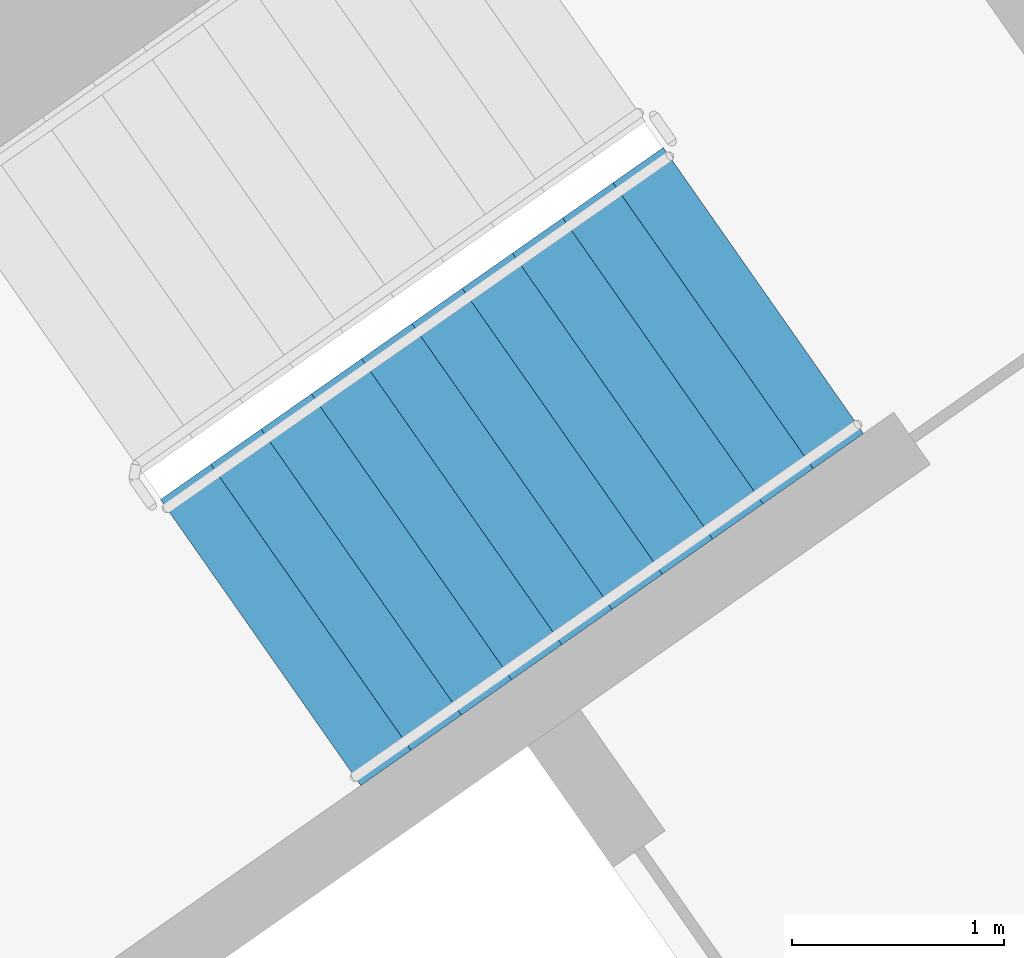
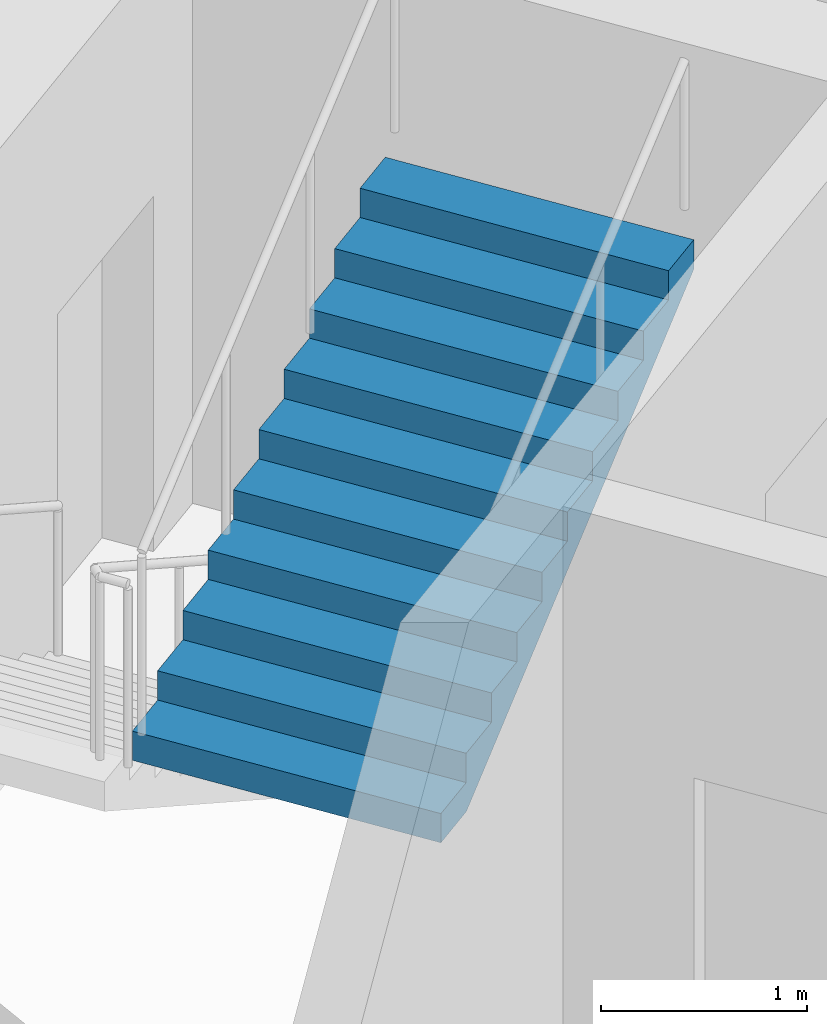
# One storey, part 14 of 27: 1 stair flight, 1 element without a shape of its own.
"""IFC4 building model written with IfcOpenShell, lengths in metres."""

from ifc_helpers import new_model, si_unit, direction, frame, origin, place, context, subcontext, project, spatial, faceted_brep, material, type_object, element, aggregate, save


model = new_model("IFC4")

# Units and contexts
model_context = context("Model", 3, precision=1e-05, world=origin(), true_north=direction((0.0, 1.0)))
body_context = subcontext(model_context, "Body", "Model", "MODEL_VIEW")
ifc_project = project(units=[si_unit("LENGTHUNIT", "METRE"), si_unit("AREAUNIT", "SQUARE_METRE"), si_unit("VOLUMEUNIT", "CUBIC_METRE"), si_unit("PLANEANGLEUNIT", "RADIAN"), si_unit("MASSUNIT", "GRAM", prefix="KILO")], contexts=[model_context])

# Site, building, storey
site_placement = place(None, origin())
site = spatial("IfcSite", under=ifc_project, at=site_placement, CompositionType="ELEMENT")
building_placement = place(site_placement, origin())
building = spatial("IfcBuilding", under=site, at=building_placement, Name="Qamariyya Broadcast Tower", CompositionType="ELEMENT")
storey_placement = place(building_placement, frame((0.0, 0.0, 153.10009765625)))
storey = spatial("IfcBuildingStorey", under=building, at=storey_placement, Name="L35", CompositionType="ELEMENT", Elevation=153.10009765625)

# Stair, stair flight
ifc_material = material(Name="Concrete C50/60", Category="concrete")
stair_type = type_object("IfcStairType", Name="Exit stair 22 risers of 173 mm", PredefinedType="HALF_TURN_STAIR", material=ifc_material)
stair_placement = place(storey_placement, origin())
stair = element("IfcStair", 1, at=stair_placement, inside=storey, type_object=stair_type, Name="L35 Stair E2", PredefinedType="HALF_TURN_STAIR")
stair_flight_type = type_object("IfcStairFlightType", Name="Exit stair flight 11 risers of 173 mm", PredefinedType="STRAIGHT", material=ifc_material)
stair_flight_placement = place(storey_placement, frame((39.215576171875, -50.822998046875, 1.89990234375), z_axis=(0.0, 0.0, 1.0), x_axis=(0.819152044289, 0.573576436351, 0.0)))
stair_flight = element("IfcStairFlight", 2, at=stair_flight_placement, type_object=stair_flight_type, Name="ST-E2 flight 2", NumberOfRisers=11, NumberOfTreads=10, PredefinedType="STRAIGHT", RiserHeight=0.172727273, TreadLength=0.29, context=body_context, shape_type="Brep", body=[
    faceted_brep([(0.0, 0.824951171875, 0.0), (0.0, 0.824951171875, 0.172607421875), (0.2900390625, 0.824951171875, 0.172607421875), (0.2900390625, 0.824951171875, 0.345458984375), (0.580078125, 0.824951171875, 0.345458984375), (0.580078125, 0.824951171875, 0.51806640625), (0.8701171875, 0.824951171875, 0.51806640625), (0.8701171875, 0.824951171875, 0.69091796875), (1.159912109375, 0.824951171875, 0.69091796875), (1.159912109375, 0.824951171875, 0.863525390625), (1.449951171875, 0.824951171875, 0.863525390625), (1.449951171875, 0.824951171875, 1.036376953125), (1.739990234375, 0.824951171875, 1.036376953125), (1.739990234375, 0.824951171875, 1.208984375), (2.030029296875, 0.824951171875, 1.208984375), (2.030029296875, 0.824951171875, 1.3818359375), (2.320068359375, 0.824951171875, 1.3818359375), (2.320068359375, 0.824951171875, 1.554443359375), (2.610107421875, 0.824951171875, 1.554443359375), (2.610107421875, 0.824951171875, 1.727294921875), (2.89990234375, 0.824951171875, 1.727294921875), (2.89990234375, 0.824951171875, 1.552734375), (0.29296875, 0.824951171875, 0.0), (0.29296875, -0.824951171875, 0.0), (2.89990234375, -0.824951171875, 1.552734375), (2.89990234375, -0.824951171875, 1.727294921875), (2.610107421875, -0.824951171875, 1.727294921875), (2.610107421875, -0.824951171875, 1.554443359375), (2.320068359375, -0.824951171875, 1.554443359375), (2.320068359375, -0.824951171875, 1.3818359375), (2.030029296875, -0.824951171875, 1.3818359375), (2.030029296875, -0.824951171875, 1.208984375), (1.739990234375, -0.824951171875, 1.208984375), (1.739990234375, -0.824951171875, 1.036376953125), (1.449951171875, -0.824951171875, 1.036376953125), (1.449951171875, -0.824951171875, 0.863525390625), (1.159912109375, -0.824951171875, 0.863525390625), (1.159912109375, -0.824951171875, 0.69091796875), (0.8701171875, -0.824951171875, 0.69091796875), (0.8701171875, -0.824951171875, 0.51806640625), (0.580078125, -0.824951171875, 0.51806640625), (0.580078125, -0.824951171875, 0.345458984375), (0.2900390625, -0.824951171875, 0.345458984375), (0.2900390625, -0.824951171875, 0.172607421875), (0.0, -0.824951171875, 0.172607421875), (0.0, -0.824951171875, 0.0), (0.0, 0.10009765625, 0.0), (0.0, 0.086669921875, 0.0), (0.0, 0.0732421875, 0.0), (0.0, 0.06005859375, 0.0), (0.0, 0.046630859375, 0.0), (0.0, 0.033447265625, 0.0), (0.0, 0.02001953125, 0.0), (0.0, 0.006591796875, 0.0), (0.0, -0.006591796875, 0.0), (0.0, -0.02001953125, 0.0), (0.0, -0.033447265625, 0.0), (0.0, -0.046630859375, 0.0), (0.0, -0.06005859375, 0.0), (0.0, -0.0732421875, 0.0), (0.0, -0.086669921875, 0.0), (0.0, -0.10009765625, 0.0), (0.0, -0.10009765625, 0.172607421875), (0.0, -0.086669921875, 0.172607421875), (0.0, -0.0732421875, 0.172607421875), (0.0, -0.06005859375, 0.172607421875), (0.0, -0.046630859375, 0.172607421875), (0.0, -0.033447265625, 0.172607421875), (0.0, -0.02001953125, 0.172607421875), (0.0, -0.006591796875, 0.172607421875), (0.0, 0.006591796875, 0.172607421875), (0.0, 0.02001953125, 0.172607421875), (0.0, 0.033447265625, 0.172607421875), (0.0, 0.046630859375, 0.172607421875), (0.0, 0.06005859375, 0.172607421875), (0.0, 0.0732421875, 0.172607421875), (0.0, 0.086669921875, 0.172607421875), (0.0, 0.10009765625, 0.172607421875), (0.2900390625, -0.10009765625, 0.172607421875), (0.2900390625, -0.086669921875, 0.172607421875), (0.2900390625, -0.0732421875, 0.172607421875), (0.2900390625, -0.06005859375, 0.172607421875), (0.2900390625, -0.046630859375, 0.172607421875), (0.2900390625, -0.033447265625, 0.172607421875), (0.2900390625, -0.02001953125, 0.172607421875), (0.2900390625, -0.006591796875, 0.172607421875), (0.2900390625, 0.006591796875, 0.172607421875), (0.2900390625, 0.02001953125, 0.172607421875), (0.2900390625, 0.033447265625, 0.172607421875), (0.2900390625, 0.046630859375, 0.172607421875), (0.2900390625, 0.06005859375, 0.172607421875), (0.2900390625, 0.0732421875, 0.172607421875), (0.2900390625, 0.086669921875, 0.172607421875), (0.2900390625, 0.10009765625, 0.172607421875), (0.2900390625, -0.10009765625, 0.345458984375), (0.2900390625, -0.086669921875, 0.345458984375), (0.2900390625, -0.0732421875, 0.345458984375), (0.2900390625, -0.06005859375, 0.345458984375), (0.2900390625, -0.046630859375, 0.345458984375), (0.2900390625, -0.033447265625, 0.345458984375), (0.2900390625, -0.02001953125, 0.345458984375), (0.2900390625, -0.006591796875, 0.345458984375), (0.2900390625, 0.006591796875, 0.345458984375), (0.2900390625, 0.02001953125, 0.345458984375), (0.2900390625, 0.033447265625, 0.345458984375), (0.2900390625, 0.046630859375, 0.345458984375), (0.2900390625, 0.06005859375, 0.345458984375), (0.2900390625, 0.0732421875, 0.345458984375), (0.2900390625, 0.086669921875, 0.345458984375), (0.2900390625, 0.10009765625, 0.345458984375), (0.580078125, -0.10009765625, 0.345458984375), (0.580078125, -0.086669921875, 0.345458984375), (0.580078125, -0.0732421875, 0.345458984375), (0.580078125, -0.06005859375, 0.345458984375), (0.580078125, -0.046630859375, 0.345458984375), (0.580078125, -0.033447265625, 0.345458984375), (0.580078125, -0.02001953125, 0.345458984375), (0.580078125, -0.006591796875, 0.345458984375), (0.580078125, 0.006591796875, 0.345458984375), (0.580078125, 0.02001953125, 0.345458984375), (0.580078125, 0.033447265625, 0.345458984375), (0.580078125, 0.046630859375, 0.345458984375), (0.580078125, 0.06005859375, 0.345458984375), (0.580078125, 0.0732421875, 0.345458984375), (0.580078125, 0.086669921875, 0.345458984375), (0.580078125, 0.10009765625, 0.345458984375), (0.580078125, -0.10009765625, 0.51806640625), (0.580078125, -0.086669921875, 0.51806640625), (0.580078125, -0.0732421875, 0.51806640625), (0.580078125, -0.06005859375, 0.51806640625), (0.580078125, -0.046630859375, 0.51806640625), (0.580078125, -0.033447265625, 0.51806640625), (0.580078125, -0.02001953125, 0.51806640625), (0.580078125, -0.006591796875, 0.51806640625), (0.580078125, 0.006591796875, 0.51806640625), (0.580078125, 0.02001953125, 0.51806640625), (0.580078125, 0.033447265625, 0.51806640625), (0.580078125, 0.046630859375, 0.51806640625), (0.580078125, 0.06005859375, 0.51806640625), (0.580078125, 0.0732421875, 0.51806640625), (0.580078125, 0.086669921875, 0.51806640625), (0.580078125, 0.10009765625, 0.51806640625), (0.8701171875, -0.10009765625, 0.51806640625), (0.8701171875, -0.086669921875, 0.51806640625), (0.8701171875, -0.0732421875, 0.51806640625), (0.8701171875, -0.06005859375, 0.51806640625), (0.8701171875, -0.046630859375, 0.51806640625), (0.8701171875, -0.033447265625, 0.51806640625), (0.8701171875, -0.02001953125, 0.51806640625), (0.8701171875, -0.006591796875, 0.51806640625), (0.8701171875, 0.006591796875, 0.51806640625), (0.8701171875, 0.02001953125, 0.51806640625), (0.8701171875, 0.033447265625, 0.51806640625), (0.8701171875, 0.046630859375, 0.51806640625), (0.8701171875, 0.06005859375, 0.51806640625), (0.8701171875, 0.0732421875, 0.51806640625), (0.8701171875, 0.086669921875, 0.51806640625), (0.8701171875, 0.10009765625, 0.51806640625), (0.8701171875, -0.10009765625, 0.69091796875), (0.8701171875, -0.086669921875, 0.69091796875), (0.8701171875, -0.0732421875, 0.69091796875), (0.8701171875, -0.06005859375, 0.69091796875), (0.8701171875, -0.046630859375, 0.69091796875), (0.8701171875, -0.033447265625, 0.69091796875), (0.8701171875, -0.02001953125, 0.69091796875), (0.8701171875, -0.006591796875, 0.69091796875), (0.8701171875, 0.006591796875, 0.69091796875), (0.8701171875, 0.02001953125, 0.69091796875), (0.8701171875, 0.033447265625, 0.69091796875), (0.8701171875, 0.046630859375, 0.69091796875), (0.8701171875, 0.06005859375, 0.69091796875), (0.8701171875, 0.0732421875, 0.69091796875), (0.8701171875, 0.086669921875, 0.69091796875), (0.8701171875, 0.10009765625, 0.69091796875), (1.159912109375, -0.10009765625, 0.69091796875), (1.159912109375, -0.086669921875, 0.69091796875), (1.159912109375, -0.0732421875, 0.69091796875), (1.159912109375, -0.06005859375, 0.69091796875), (1.159912109375, -0.046630859375, 0.69091796875), (1.159912109375, -0.033447265625, 0.69091796875), (1.159912109375, -0.02001953125, 0.69091796875), (1.159912109375, -0.006591796875, 0.69091796875), (1.159912109375, 0.006591796875, 0.69091796875), (1.159912109375, 0.02001953125, 0.69091796875), (1.159912109375, 0.033447265625, 0.69091796875), (1.159912109375, 0.046630859375, 0.69091796875), (1.159912109375, 0.06005859375, 0.69091796875), (1.159912109375, 0.0732421875, 0.69091796875), (1.159912109375, 0.086669921875, 0.69091796875), (1.159912109375, 0.10009765625, 0.69091796875), (1.159912109375, -0.10009765625, 0.863525390625), (1.159912109375, -0.086669921875, 0.863525390625), (1.159912109375, -0.0732421875, 0.863525390625), (1.159912109375, -0.06005859375, 0.863525390625), (1.159912109375, -0.046630859375, 0.863525390625), (1.159912109375, -0.033447265625, 0.863525390625), (1.159912109375, -0.02001953125, 0.863525390625), (1.159912109375, -0.006591796875, 0.863525390625), (1.159912109375, 0.006591796875, 0.863525390625), (1.159912109375, 0.02001953125, 0.863525390625), (1.159912109375, 0.033447265625, 0.863525390625), (1.159912109375, 0.046630859375, 0.863525390625), (1.159912109375, 0.06005859375, 0.863525390625), (1.159912109375, 0.0732421875, 0.863525390625), (1.159912109375, 0.086669921875, 0.863525390625), (1.159912109375, 0.10009765625, 0.863525390625), (1.449951171875, -0.10009765625, 0.863525390625), (1.449951171875, -0.086669921875, 0.863525390625), (1.449951171875, -0.0732421875, 0.863525390625), (1.449951171875, -0.06005859375, 0.863525390625), (1.449951171875, -0.046630859375, 0.863525390625), (1.449951171875, -0.033447265625, 0.863525390625), (1.449951171875, -0.02001953125, 0.863525390625), (1.449951171875, -0.006591796875, 0.863525390625), (1.449951171875, 0.006591796875, 0.863525390625), (1.449951171875, 0.02001953125, 0.863525390625), (1.449951171875, 0.033447265625, 0.863525390625), (1.449951171875, 0.046630859375, 0.863525390625), (1.449951171875, 0.06005859375, 0.863525390625), (1.449951171875, 0.0732421875, 0.863525390625), (1.449951171875, 0.086669921875, 0.863525390625), (1.449951171875, 0.10009765625, 0.863525390625), (1.449951171875, -0.10009765625, 1.036376953125), (1.449951171875, -0.086669921875, 1.036376953125), (1.449951171875, -0.0732421875, 1.036376953125), (1.449951171875, -0.06005859375, 1.036376953125), (1.449951171875, -0.046630859375, 1.036376953125), (1.449951171875, -0.033447265625, 1.036376953125), (1.449951171875, -0.02001953125, 1.036376953125), (1.449951171875, -0.006591796875, 1.036376953125), (1.449951171875, 0.006591796875, 1.036376953125), (1.449951171875, 0.02001953125, 1.036376953125), (1.449951171875, 0.033447265625, 1.036376953125), (1.449951171875, 0.046630859375, 1.036376953125), (1.449951171875, 0.06005859375, 1.036376953125), (1.449951171875, 0.0732421875, 1.036376953125), (1.449951171875, 0.086669921875, 1.036376953125), (1.449951171875, 0.10009765625, 1.036376953125), (1.739990234375, -0.10009765625, 1.036376953125), (1.739990234375, -0.086669921875, 1.036376953125), (1.739990234375, -0.0732421875, 1.036376953125), (1.739990234375, -0.06005859375, 1.036376953125), (1.739990234375, -0.046630859375, 1.036376953125), (1.739990234375, -0.033447265625, 1.036376953125), (1.739990234375, -0.02001953125, 1.036376953125), (1.739990234375, -0.006591796875, 1.036376953125), (1.739990234375, 0.006591796875, 1.036376953125), (1.739990234375, 0.02001953125, 1.036376953125), (1.739990234375, 0.033447265625, 1.036376953125), (1.739990234375, 0.046630859375, 1.036376953125), (1.739990234375, 0.06005859375, 1.036376953125), (1.739990234375, 0.0732421875, 1.036376953125), (1.739990234375, 0.086669921875, 1.036376953125), (1.739990234375, 0.10009765625, 1.036376953125), (1.739990234375, -0.10009765625, 1.208984375), (1.739990234375, -0.086669921875, 1.208984375), (1.739990234375, -0.0732421875, 1.208984375), (1.739990234375, -0.06005859375, 1.208984375), (1.739990234375, -0.046630859375, 1.208984375), (1.739990234375, -0.033447265625, 1.208984375), (1.739990234375, -0.02001953125, 1.208984375), (1.739990234375, -0.006591796875, 1.208984375), (1.739990234375, 0.006591796875, 1.208984375), (1.739990234375, 0.02001953125, 1.208984375), (1.739990234375, 0.033447265625, 1.208984375), (1.739990234375, 0.046630859375, 1.208984375), (1.739990234375, 0.06005859375, 1.208984375), (1.739990234375, 0.0732421875, 1.208984375), (1.739990234375, 0.086669921875, 1.208984375), (1.739990234375, 0.10009765625, 1.208984375), (2.030029296875, -0.10009765625, 1.208984375), (2.030029296875, -0.086669921875, 1.208984375), (2.030029296875, -0.0732421875, 1.208984375), (2.030029296875, -0.06005859375, 1.208984375), (2.030029296875, -0.046630859375, 1.208984375), (2.030029296875, -0.033447265625, 1.208984375), (2.030029296875, -0.02001953125, 1.208984375), (2.030029296875, -0.006591796875, 1.208984375), (2.030029296875, 0.006591796875, 1.208984375), (2.030029296875, 0.02001953125, 1.208984375), (2.030029296875, 0.033447265625, 1.208984375), (2.030029296875, 0.046630859375, 1.208984375), (2.030029296875, 0.06005859375, 1.208984375), (2.030029296875, 0.0732421875, 1.208984375), (2.030029296875, 0.086669921875, 1.208984375), (2.030029296875, 0.10009765625, 1.208984375), (2.030029296875, -0.10009765625, 1.3818359375), (2.030029296875, -0.086669921875, 1.3818359375), (2.030029296875, -0.0732421875, 1.3818359375), (2.030029296875, -0.06005859375, 1.3818359375), (2.030029296875, -0.046630859375, 1.3818359375), (2.030029296875, -0.033447265625, 1.3818359375), (2.030029296875, -0.02001953125, 1.3818359375), (2.030029296875, -0.006591796875, 1.3818359375), (2.030029296875, 0.006591796875, 1.3818359375), (2.030029296875, 0.02001953125, 1.3818359375), (2.030029296875, 0.033447265625, 1.3818359375), (2.030029296875, 0.046630859375, 1.3818359375), (2.030029296875, 0.06005859375, 1.3818359375), (2.030029296875, 0.0732421875, 1.3818359375), (2.030029296875, 0.086669921875, 1.3818359375), (2.030029296875, 0.10009765625, 1.3818359375), (2.320068359375, -0.10009765625, 1.3818359375), (2.320068359375, -0.086669921875, 1.3818359375), (2.320068359375, -0.0732421875, 1.3818359375), (2.320068359375, -0.06005859375, 1.3818359375), (2.320068359375, -0.046630859375, 1.3818359375), (2.320068359375, -0.033447265625, 1.3818359375), (2.320068359375, -0.02001953125, 1.3818359375), (2.320068359375, -0.006591796875, 1.3818359375), (2.320068359375, 0.006591796875, 1.3818359375), (2.320068359375, 0.02001953125, 1.3818359375), (2.320068359375, 0.033447265625, 1.3818359375), (2.320068359375, 0.046630859375, 1.3818359375), (2.320068359375, 0.06005859375, 1.3818359375), (2.320068359375, 0.0732421875, 1.3818359375), (2.320068359375, 0.086669921875, 1.3818359375), (2.320068359375, 0.10009765625, 1.3818359375), (2.320068359375, -0.10009765625, 1.554443359375), (2.320068359375, -0.086669921875, 1.554443359375), (2.320068359375, -0.0732421875, 1.554443359375), (2.320068359375, -0.06005859375, 1.554443359375), (2.320068359375, -0.046630859375, 1.554443359375), (2.320068359375, -0.033447265625, 1.554443359375), (2.320068359375, -0.02001953125, 1.554443359375), (2.320068359375, -0.006591796875, 1.554443359375), (2.320068359375, 0.006591796875, 1.554443359375), (2.320068359375, 0.02001953125, 1.554443359375), (2.320068359375, 0.033447265625, 1.554443359375), (2.320068359375, 0.046630859375, 1.554443359375), (2.320068359375, 0.06005859375, 1.554443359375), (2.320068359375, 0.0732421875, 1.554443359375), (2.320068359375, 0.086669921875, 1.554443359375), (2.320068359375, 0.10009765625, 1.554443359375), (2.610107421875, -0.10009765625, 1.554443359375), (2.610107421875, -0.086669921875, 1.554443359375), (2.610107421875, -0.0732421875, 1.554443359375), (2.610107421875, -0.06005859375, 1.554443359375), (2.610107421875, -0.046630859375, 1.554443359375), (2.610107421875, -0.033447265625, 1.554443359375), (2.610107421875, -0.02001953125, 1.554443359375), (2.610107421875, -0.006591796875, 1.554443359375), (2.610107421875, 0.006591796875, 1.554443359375), (2.610107421875, 0.02001953125, 1.554443359375), (2.610107421875, 0.033447265625, 1.554443359375), (2.610107421875, 0.046630859375, 1.554443359375), (2.610107421875, 0.06005859375, 1.554443359375), (2.610107421875, 0.0732421875, 1.554443359375), (2.610107421875, 0.086669921875, 1.554443359375), (2.610107421875, 0.10009765625, 1.554443359375), (2.610107421875, -0.10009765625, 1.727294921875), (2.610107421875, -0.086669921875, 1.727294921875), (2.610107421875, -0.0732421875, 1.727294921875), (2.610107421875, -0.06005859375, 1.727294921875), (2.610107421875, -0.046630859375, 1.727294921875), (2.610107421875, -0.033447265625, 1.727294921875), (2.610107421875, -0.02001953125, 1.727294921875), (2.610107421875, -0.006591796875, 1.727294921875), (2.610107421875, 0.006591796875, 1.727294921875), (2.610107421875, 0.02001953125, 1.727294921875), (2.610107421875, 0.033447265625, 1.727294921875), (2.610107421875, 0.046630859375, 1.727294921875), (2.610107421875, 0.06005859375, 1.727294921875), (2.610107421875, 0.0732421875, 1.727294921875), (2.610107421875, 0.086669921875, 1.727294921875), (2.610107421875, 0.10009765625, 1.727294921875), (2.89990234375, -0.10009765625, 1.727294921875), (2.89990234375, -0.086669921875, 1.727294921875), (2.89990234375, -0.0732421875, 1.727294921875), (2.89990234375, -0.06005859375, 1.727294921875), (2.89990234375, -0.046630859375, 1.727294921875), (2.89990234375, -0.033447265625, 1.727294921875), (2.89990234375, -0.02001953125, 1.727294921875), (2.89990234375, -0.006591796875, 1.727294921875), (2.89990234375, 0.006591796875, 1.727294921875), (2.89990234375, 0.02001953125, 1.727294921875), (2.89990234375, 0.033447265625, 1.727294921875), (2.89990234375, 0.046630859375, 1.727294921875), (2.89990234375, 0.06005859375, 1.727294921875), (2.89990234375, 0.0732421875, 1.727294921875), (2.89990234375, 0.086669921875, 1.727294921875), (2.89990234375, 0.10009765625, 1.727294921875), (2.89990234375, -0.10009765625, 1.552734375), (2.89990234375, -0.086669921875, 1.552734375), (2.89990234375, -0.0732421875, 1.552734375), (2.89990234375, -0.06005859375, 1.552734375), (2.89990234375, -0.046630859375, 1.552734375), (2.89990234375, -0.033447265625, 1.552734375), (2.89990234375, -0.02001953125, 1.552734375), (2.89990234375, -0.006591796875, 1.552734375), (2.89990234375, 0.006591796875, 1.552734375), (2.89990234375, 0.02001953125, 1.552734375), (2.89990234375, 0.033447265625, 1.552734375), (2.89990234375, 0.046630859375, 1.552734375), (2.89990234375, 0.06005859375, 1.552734375), (2.89990234375, 0.0732421875, 1.552734375), (2.89990234375, 0.086669921875, 1.552734375), (2.89990234375, 0.10009765625, 1.552734375), (0.29296875, -0.10009765625, 0.0), (0.29296875, -0.086669921875, 0.0), (0.29296875, -0.0732421875, 0.0), (0.29296875, -0.06005859375, 0.0), (0.29296875, -0.046630859375, 0.0), (0.29296875, -0.033447265625, 0.0), (0.29296875, -0.02001953125, 0.0), (0.29296875, -0.006591796875, 0.0), (0.29296875, 0.006591796875, 0.0), (0.29296875, 0.02001953125, 0.0), (0.29296875, 0.033447265625, 0.0), (0.29296875, 0.046630859375, 0.0), (0.29296875, 0.06005859375, 0.0), (0.29296875, 0.0732421875, 0.0), (0.29296875, 0.086669921875, 0.0), (0.29296875, 0.10009765625, 0.0)], [[[0, 1, 2, 3, 4, 5, 6, 7, 8, 9, 10, 11, 12, 13, 14, 15, 16, 17, 18, 19, 20, 21, 22]], [[23, 24, 25, 26, 27, 28, 29, 30, 31, 32, 33, 34, 35, 36, 37, 38, 39, 40, 41, 42, 43, 44, 45]], [[0, 46, 47, 48, 49, 50, 51, 52, 53, 54, 55, 56, 57, 58, 59, 60, 61, 45, 44, 62, 63, 64, 65, 66, 67, 68, 69, 70, 71, 72, 73, 74, 75, 76, 77, 1]], [[1, 77, 76, 75, 74, 73, 72, 71, 70, 69, 68, 67, 66, 65, 64, 63, 62, 44, 43, 78, 79, 80, 81, 82, 83, 84, 85, 86, 87, 88, 89, 90, 91, 92, 93, 2]], [[2, 93, 92, 91, 90, 89, 88, 87, 86, 85, 84, 83, 82, 81, 80, 79, 78, 43, 42, 94, 95, 96, 97, 98, 99, 100, 101, 102, 103, 104, 105, 106, 107, 108, 109, 3]], [[3, 109, 108, 107, 106, 105, 104, 103, 102, 101, 100, 99, 98, 97, 96, 95, 94, 42, 41, 110, 111, 112, 113, 114, 115, 116, 117, 118, 119, 120, 121, 122, 123, 124, 125, 4]], [[4, 125, 124, 123, 122, 121, 120, 119, 118, 117, 116, 115, 114, 113, 112, 111, 110, 41, 40, 126, 127, 128, 129, 130, 131, 132, 133, 134, 135, 136, 137, 138, 139, 140, 141, 5]], [[5, 141, 140, 139, 138, 137, 136, 135, 134, 133, 132, 131, 130, 129, 128, 127, 126, 40, 39, 142, 143, 144, 145, 146, 147, 148, 149, 150, 151, 152, 153, 154, 155, 156, 157, 6]], [[6, 157, 156, 155, 154, 153, 152, 151, 150, 149, 148, 147, 146, 145, 144, 143, 142, 39, 38, 158, 159, 160, 161, 162, 163, 164, 165, 166, 167, 168, 169, 170, 171, 172, 173, 7]], [[7, 173, 172, 171, 170, 169, 168, 167, 166, 165, 164, 163, 162, 161, 160, 159, 158, 38, 37, 174, 175, 176, 177, 178, 179, 180, 181, 182, 183, 184, 185, 186, 187, 188, 189, 8]], [[8, 189, 188, 187, 186, 185, 184, 183, 182, 181, 180, 179, 178, 177, 176, 175, 174, 37, 36, 190, 191, 192, 193, 194, 195, 196, 197, 198, 199, 200, 201, 202, 203, 204, 205, 9]], [[9, 205, 204, 203, 202, 201, 200, 199, 198, 197, 196, 195, 194, 193, 192, 191, 190, 36, 35, 206, 207, 208, 209, 210, 211, 212, 213, 214, 215, 216, 217, 218, 219, 220, 221, 10]], [[10, 221, 220, 219, 218, 217, 216, 215, 214, 213, 212, 211, 210, 209, 208, 207, 206, 35, 34, 222, 223, 224, 225, 226, 227, 228, 229, 230, 231, 232, 233, 234, 235, 236, 237, 11]], [[11, 237, 236, 235, 234, 233, 232, 231, 230, 229, 228, 227, 226, 225, 224, 223, 222, 34, 33, 238, 239, 240, 241, 242, 243, 244, 245, 246, 247, 248, 249, 250, 251, 252, 253, 12]], [[12, 253, 252, 251, 250, 249, 248, 247, 246, 245, 244, 243, 242, 241, 240, 239, 238, 33, 32, 254, 255, 256, 257, 258, 259, 260, 261, 262, 263, 264, 265, 266, 267, 268, 269, 13]], [[13, 269, 268, 267, 266, 265, 264, 263, 262, 261, 260, 259, 258, 257, 256, 255, 254, 32, 31, 270, 271, 272, 273, 274, 275, 276, 277, 278, 279, 280, 281, 282, 283, 284, 285, 14]], [[14, 285, 284, 283, 282, 281, 280, 279, 278, 277, 276, 275, 274, 273, 272, 271, 270, 31, 30, 286, 287, 288, 289, 290, 291, 292, 293, 294, 295, 296, 297, 298, 299, 300, 301, 15]], [[15, 301, 300, 299, 298, 297, 296, 295, 294, 293, 292, 291, 290, 289, 288, 287, 286, 30, 29, 302, 303, 304, 305, 306, 307, 308, 309, 310, 311, 312, 313, 314, 315, 316, 317, 16]], [[16, 317, 316, 315, 314, 313, 312, 311, 310, 309, 308, 307, 306, 305, 304, 303, 302, 29, 28, 318, 319, 320, 321, 322, 323, 324, 325, 326, 327, 328, 329, 330, 331, 332, 333, 17]], [[17, 333, 332, 331, 330, 329, 328, 327, 326, 325, 324, 323, 322, 321, 320, 319, 318, 28, 27, 334, 335, 336, 337, 338, 339, 340, 341, 342, 343, 344, 345, 346, 347, 348, 349, 18]], [[18, 349, 348, 347, 346, 345, 344, 343, 342, 341, 340, 339, 338, 337, 336, 335, 334, 27, 26, 350, 351, 352, 353, 354, 355, 356, 357, 358, 359, 360, 361, 362, 363, 364, 365, 19]], [[19, 365, 364, 363, 362, 361, 360, 359, 358, 357, 356, 355, 354, 353, 352, 351, 350, 26, 25, 366, 367, 368, 369, 370, 371, 372, 373, 374, 375, 376, 377, 378, 379, 380, 381, 20]], [[20, 381, 380, 379, 378, 377, 376, 375, 374, 373, 372, 371, 370, 369, 368, 367, 366, 25, 24, 382, 383, 384, 385, 386, 387, 388, 389, 390, 391, 392, 393, 394, 395, 396, 397, 21]], [[21, 397, 396, 395, 394, 393, 392, 391, 390, 389, 388, 387, 386, 385, 384, 383, 382, 24, 23, 398, 399, 400, 401, 402, 403, 404, 405, 406, 407, 408, 409, 410, 411, 412, 413, 22]], [[22, 413, 412, 411, 410, 409, 408, 407, 406, 405, 404, 403, 402, 401, 400, 399, 398, 23, 45, 61, 60, 59, 58, 57, 56, 55, 54, 53, 52, 51, 50, 49, 48, 47, 46, 0]]]),
])
aggregate(stair, [stair_flight])

save(model, "model.ifc")
